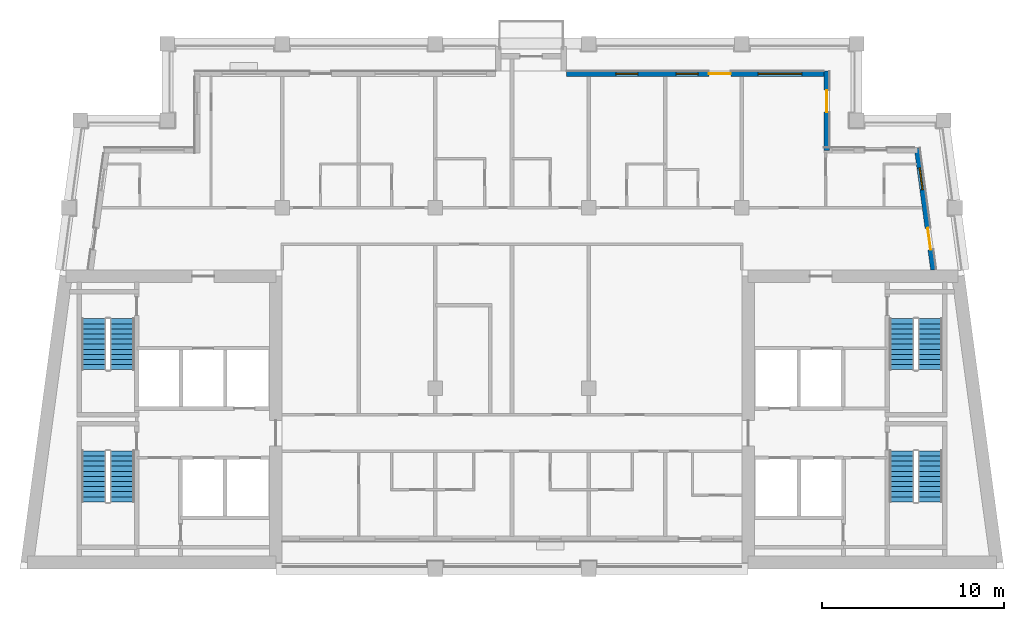
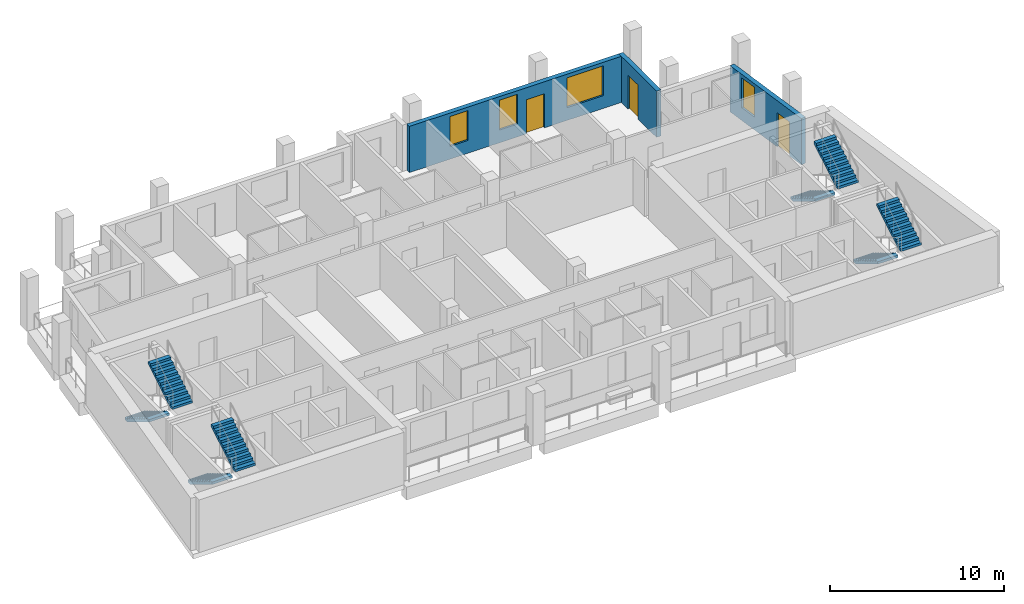
# One storey, part 6 of 10: 8 stair flights, 4 windows, 3 doors, 3 walls, 7 openings, 4 elements without a shape of their own.
"""IFC4 building model written with IfcOpenShell, lengths in metres."""

import ifcopenshell
import ifcopenshell.guid

model = None  # the IFC model being written
_history = None  # IfcOwnerHistory: only IFC2X3 demands one
_inside = {}  # id of a spatial element -> (the spatial element, [elements in it])
_under = {}  # id of a project, library or spatial element -> (it, [spatial elements below it])
_declared = {}  # id of a project -> (the project, [libraries it declares])
_typed = {}  # id of a type object -> (the type object, [elements of that type])
_made_of = {}  # id of a material, layer set ... -> (it, [elements and type objects made of it])


def new_model(schema):
    """Start an empty IFC model of exactly this schema.

    Asked for "IFC4X3", IfcOpenShell would pick the latest addendum, in which some entities
    have other attributes; the version numbers below select the first issue.
    IFC2X3 requires an IfcOwnerHistory on every rooted entity: one is made here for all.
    """
    global model, _history
    if schema == "IFC4X3":
        model = ifcopenshell.file(schema_version=(4, 3, 0, 0))
    else:
        model = ifcopenshell.file(schema=schema)
    _inside.clear()
    _under.clear()
    _declared.clear()
    _typed.clear()
    _made_of.clear()
    _history = None
    if model.schema == "IFC2X3":
        org = make("IfcOrganization", Name="unknown")
        user = make(
            "IfcPersonAndOrganization",
            ThePerson=make("IfcPerson", FamilyName="unknown"),
            TheOrganization=org,
        )
        app = make(
            "IfcApplication",
            ApplicationDeveloper=org,
            Version="unknown",
            ApplicationFullName="unknown",
            ApplicationIdentifier="unknown",
        )
        _history = make(
            "IfcOwnerHistory",
            OwningUser=user,
            OwningApplication=app,
            ChangeAction="ADDED",
            CreationDate=0,
        )
    return model


def make(cls, **values):
    """One entity of the class cls with the attributes given. An attribute that is None is left unset."""
    return model.create_entity(
        cls, **{name: value for name, value in values.items() if value is not None}
    )


def rooted(cls, **values):
    """An entity with a GlobalId (a new one), such as an element, a storey or a relation."""
    return make(cls, GlobalId=ifcopenshell.guid.new(), OwnerHistory=_history, **values)


def si_unit(unit_type, name, prefix=None):
    """IfcSIUnit, for example si_unit("LENGTHUNIT", "METRE", prefix="MILLI")."""
    return make("IfcSIUnit", UnitType=unit_type, Prefix=prefix, Name=name)


def assignment(units):
    """IfcUnitAssignment: the units of a project."""
    return None if units is None else make("IfcUnitAssignment", Units=units)


def point(xyz):
    """IfcCartesianPoint."""
    return None if xyz is None else make("IfcCartesianPoint", Coordinates=xyz)


def direction(xyz):
    """IfcDirection."""
    return None if xyz is None else make("IfcDirection", DirectionRatios=xyz)


def frame(location, z_axis=None, x_axis=None):
    """IfcAxis2Placement3D, a coordinate frame: its origin and axes. An axis left out is left unset."""
    return make(
        "IfcAxis2Placement3D",
        Location=point(location),
        Axis=direction(z_axis),
        RefDirection=direction(x_axis),
    )


def frame_2d(location, x_axis=None):
    """IfcAxis2Placement2D, a coordinate frame in the plane: its origin and x axis."""
    return make(
        "IfcAxis2Placement2D", Location=point(location), RefDirection=direction(x_axis)
    )


def origin():
    """The frame at (0, 0, 0) with its axes left unset."""
    return frame((0.0, 0.0, 0.0))


def place(relative_to, where):
    """IfcLocalPlacement: puts the frame where relative to a parent placement (None: the world)."""
    return make(
        "IfcLocalPlacement", PlacementRelTo=relative_to, RelativePlacement=where
    )


def context(
    kind, dimensions, precision=None, world=None, true_north=None, identifier=None
):
    """IfcGeometricRepresentationContext, for example the 3D "Model" context."""
    return make(
        "IfcGeometricRepresentationContext",
        ContextIdentifier=identifier,
        ContextType=kind,
        CoordinateSpaceDimension=dimensions,
        Precision=precision,
        WorldCoordinateSystem=world,
        TrueNorth=true_north,
    )


def subcontext(parent, identifier, kind, view, scale=None):
    """IfcGeometricRepresentationSubContext, for example "Body" below "Model"."""
    return make(
        "IfcGeometricRepresentationSubContext",
        ContextIdentifier=identifier,
        ContextType=kind,
        ParentContext=parent,
        TargetScale=scale,
        TargetView=view,
    )


def project(units=None, contexts=None):
    """IfcProject with its units and contexts."""
    return rooted(
        "IfcProject",
        Name="project",
        RepresentationContexts=contexts,
        UnitsInContext=assignment(units),
    )


def spatial(cls, under=None, at=None, **own):
    """A site, building, storey or space (cls), placed at a placement, below another one or the project."""
    s = rooted(cls, ObjectPlacement=at, **own)
    if under is not None:
        _under.setdefault(under.id(), (under, []))[1].append(s)
    return s


def polyline(points):
    """IfcPolyline through the points."""
    return make("IfcPolyline", Points=[point(p) for p in points])


def profile(cls, at=None, kind="AREA", **sizes):
    """A parametric profile (cls). Its sizes go by their IFC names, for example OverallWidth=200.0."""
    return make(cls, ProfileType=kind, Position=at, **sizes)


def rectangle(**sizes):
    """IfcRectangleProfileDef."""
    return profile("IfcRectangleProfileDef", **sizes)


def outline(outer, holes=None, kind="AREA"):
    """IfcArbitraryClosedProfileDef: a profile drawn as a closed curve; with holes, ...WithVoids."""
    if holes is None:
        return make("IfcArbitraryClosedProfileDef", ProfileType=kind, OuterCurve=outer)
    return make(
        "IfcArbitraryProfileDefWithVoids",
        ProfileType=kind,
        OuterCurve=outer,
        InnerCurves=holes,
    )


def extrude(swept, where, along, depth):
    """IfcExtrudedAreaSolid: the profile swept, set in the frame where, extruded along a direction by depth."""
    return make(
        "IfcExtrudedAreaSolid",
        SweptArea=swept,
        Position=where,
        ExtrudedDirection=direction(along),
        Depth=depth,
    )


def shape(context_of_items, identifier, shape_type, items):
    """IfcShapeRepresentation: the items that make up one representation, for example the "Body"."""
    return make(
        "IfcShapeRepresentation",
        ContextOfItems=context_of_items,
        RepresentationIdentifier=identifier,
        RepresentationType=shape_type,
        Items=items,
    )


def material(Name=None, Category=None):
    """IfcMaterial."""
    return make("IfcMaterial", Name=Name, Category=Category)


def layer(
    of_material, thickness, ventilated=None, Name=None, Category=None, Priority=None
):
    """IfcMaterialLayer: one layer of a wall or slab, of a material (None: an air gap)."""
    return make(
        "IfcMaterialLayer",
        Material=of_material,
        LayerThickness=thickness,
        IsVentilated=ventilated,
        Name=Name,
        Category=Category,
        Priority=Priority,
    )


def layer_set(layers, Name=None):
    """IfcMaterialLayerSet."""
    return make("IfcMaterialLayerSet", MaterialLayers=layers, LayerSetName=Name)


def made_of(thing, what):
    """Note that an element or type object is made of a material, layer set ...; save() writes the relation."""
    if what is not None:
        _made_of.setdefault(what.id(), (what, []))[1].append(thing)
    return thing


def type_object(cls, material=None, **own):
    """A type object (cls), such as IfcWallType, which elements share."""
    return made_of(rooted(cls, **own), material)


def element(
    cls,
    number,
    at=None,
    inside=None,
    cuts=None,
    type_object=None,
    material=None,
    context=None,
    identifier="Body",
    shape_type=None,
    held_by="IfcProductDefinitionShape",
    body=None,
    shapes=None,
    **own,
):
    """One element of the class cls, such as IfcWall. Its Tag is "e" and its number.

    at: its placement. inside: the storey or other place that contains it. cuts: it is an
    opening in that element (IfcRelVoidsElement). A single representation is given by context,
    identifier, shape_type and body (its items); several are given by shapes. held_by: the class
    of the entity that holds the representations. save() writes the other relations.
    """
    e = rooted(cls, Tag="e%d" % number, ObjectPlacement=at, **own)
    if body is not None:
        shapes = [shape(context, identifier, shape_type, body)]
    if shapes is not None:
        e.Representation = make(held_by, Representations=shapes)
    if inside is not None:
        _inside.setdefault(inside.id(), (inside, []))[1].append(e)
    if cuts is not None:
        rooted(
            "IfcRelVoidsElement", RelatingBuildingElement=cuts, RelatedOpeningElement=e
        )
    if type_object is not None:
        _typed.setdefault(type_object.id(), (type_object, []))[1].append(e)
    return made_of(e, material)


def fill(opening, filler):
    """IfcRelFillsElement: the door or window that sits in an opening."""
    return rooted(
        "IfcRelFillsElement",
        RelatingOpeningElement=opening,
        RelatedBuildingElement=filler,
    )


def aggregate(whole, parts):
    """IfcRelAggregates: a whole, such as a stair, and the parts it consists of."""
    return rooted("IfcRelAggregates", RelatingObject=whole, RelatedObjects=parts)


def save(model, path):
    """Write the relations noted so far, then the file.

    IfcRelAggregates (storeys below a building ...), IfcRelContainedInSpatialStructure (elements
    in a storey), IfcRelDefinesByType, IfcRelAssociatesMaterial and IfcRelDeclares: one each for
    every whole, place, type object, material and project.
    """
    for whole, parts in _under.values():
        aggregate(whole, parts)
    for where, things in _inside.values():
        rooted(
            "IfcRelContainedInSpatialStructure",
            RelatedElements=things,
            RelatingStructure=where,
        )
    for kind, things in _typed.values():
        rooted("IfcRelDefinesByType", RelatedObjects=things, RelatingType=kind)
    for what, things in _made_of.values():
        rooted("IfcRelAssociatesMaterial", RelatedObjects=things, RelatingMaterial=what)
    for by, libraries in _declared.values():
        rooted("IfcRelDeclares", RelatingContext=by, RelatedDefinitions=libraries)
    model.write(path)


model = new_model("IFC4")

# Units and contexts
model_context = context("Model", 3, precision=1e-05, world=origin(), true_north=direction((0.0, 1.0)))
body_context = subcontext(model_context, "Body", "Model", "MODEL_VIEW")
ifc_project = project(units=[si_unit("LENGTHUNIT", "METRE"), si_unit("AREAUNIT", "SQUARE_METRE"), si_unit("VOLUMEUNIT", "CUBIC_METRE"), si_unit("PLANEANGLEUNIT", "RADIAN"), si_unit("MASSUNIT", "GRAM", prefix="KILO")], contexts=[model_context])

# Site, building, storey
site_placement = place(None, origin())
site = spatial("IfcSite", under=ifc_project, at=site_placement, CompositionType="ELEMENT")
building_placement = place(site_placement, origin())
building = spatial("IfcBuilding", under=site, at=building_placement, Name="Candeia Pilgrim Tower and Theatre", CompositionType="ELEMENT")
storey_placement = place(building_placement, frame((0.0, 0.0, 299.699951171875)))
storey = spatial("IfcBuildingStorey", under=building, at=storey_placement, Name="L73", CompositionType="ELEMENT", Elevation=299.699951171875)

# Wall, openings, door, window
ifc_material_1 = material(Name="Ceramic block masonry", Category="masonry")
ifc_layer = layer(ifc_material_1, 0.300048828125)
ifc_layer_set = layer_set([ifc_layer], Name="EW1 glazing-line wall 300")
wall_type = type_object("IfcWallType", Name="EW1 glazing-line wall 300", PredefinedType="SOLIDWALL", material=ifc_layer_set)
wall_1_placement = place(storey_placement, frame((136.50439453125, 132.39990234375, 0.0), z_axis=(0.0, 0.0, 1.0), x_axis=(-0.133399697462, 0.99106231929, 0.0)))
wall_1 = element("IfcWall", 1, at=wall_1_placement, inside=storey, type_object=wall_type, Name="External wall L73-2.0", PredefinedType="SOLIDWALL", context=body_context, shape_type="SweptSolid", body=[
    extrude(rectangle(XDim=6.740478515625, YDim=0.300048828125, at=frame_2d((3.3701171875, 0.0))), origin(), (0.0, 0.0, 1.0), 3.25),
])
opening_1_placement = place(wall_1_placement, frame((1.115234375, 0.0, 0.0)))
opening_1 = element("IfcOpeningElement", 2, at=opening_1_placement, cuts=wall_1, Name="Opening L73-ED677", PredefinedType="OPENING", context=body_context, shape_type="SweptSolid", body=[
    extrude(rectangle(XDim=1.199951171875, YDim=2.39990234375, at=frame_2d((0.60009765625, 1.199951171875))), frame((0.0, 0.16015625, 0.0), z_axis=(0.0, -1.0, 0.0), x_axis=(1.0, 0.0, 0.0)), (0.0, 0.0, 1.0), 0.320068359375),
])
opening_2_placement = place(wall_1_placement, frame((4.435546875, 0.0, 0.89990234375)))
opening_2 = element("IfcOpeningElement", 3, at=opening_2_placement, cuts=wall_1, Name="Opening W-B", PredefinedType="OPENING", context=body_context, shape_type="SweptSolid", body=[
    extrude(rectangle(XDim=1.199951171875, YDim=2.10009765625, at=frame_2d((0.60009765625, 1.050048828125))), frame((0.0, 0.16015625, 0.0), z_axis=(0.0, -1.0, 0.0), x_axis=(1.0, 0.0, 0.0)), (0.0, 0.0, 1.0), 0.320068359375),
])
ifc_material_2 = material(Name="Aluminium framed glazed door", Category="aluminium")
door_type = type_object("IfcDoorType", Name="Loggia door 1200x2400", OperationType="DOUBLE_DOOR_SINGLE_SWING", PredefinedType="DOOR", material=ifc_material_2)
door_1_placement = place(opening_1_placement, origin())
door_1 = element("IfcDoor", 4, at=door_1_placement, inside=storey, type_object=door_type, Name="Loggia door L73-ED677", OperationType="DOUBLE_DOOR_SINGLE_SWING", OverallHeight=2.39990234375, OverallWidth=1.199951171875, PredefinedType="DOOR", context=body_context, shape_type="SweptSolid", body=[
    extrude(rectangle(XDim=1.199951171875, YDim=2.39990234375, at=frame_2d((0.60009765625, 1.199951171875))), frame((0.0, 0.02490234375, 0.0), z_axis=(0.0, -1.0, 0.0), x_axis=(1.0, 0.0, 0.0)), (0.0, 0.0, 1.0), 0.050048828125),
])
fill(opening_1, door_1)
ifc_material_3 = material(Name="Aluminium framed double glazing", Category="aluminium")
window_type_1 = type_object("IfcWindowType", Name="W-B window 1200x2100", PartitioningType="SINGLE_PANEL", PredefinedType="WINDOW", material=ifc_material_3)
window_1_placement = place(opening_2_placement, origin())
window_1 = element("IfcWindow", 5, at=window_1_placement, inside=storey, type_object=window_type_1, Name="Window W-B L73", OverallHeight=2.10009765625, OverallWidth=1.199951171875, PartitioningType="SINGLE_PANEL", PredefinedType="WINDOW", context=body_context, shape_type="SweptSolid", body=[
    extrude(rectangle(XDim=1.199951171875, YDim=2.10009765625, at=frame_2d((0.60009765625, 1.050048828125))), frame((0.0, 0.030029296875, 0.0), z_axis=(0.0, -1.0, 0.0), x_axis=(1.0, 0.0, 0.0)), (0.0, 0.0, 1.0), 0.06005859375),
])
fill(opening_2, window_1)

# Wall, opening, door
wall_2_placement = place(storey_placement, frame((130.64990234375, 138.949951171875, 0.0), z_axis=(0.0, 0.0, 1.0), x_axis=(0.0, 1.0, 0.0)))
wall_2 = element("IfcWall", 6, at=wall_2_placement, inside=storey, type_object=wall_type, Name="External wall L73-4.0", PredefinedType="SOLIDWALL", context=body_context, shape_type="SweptSolid", body=[
    extrude(rectangle(XDim=4.35009765625, YDim=0.300048828125, at=frame_2d((2.175048828125, 0.0))), origin(), (0.0, 0.0, 1.0), 3.25),
])
opening_3_placement = place(wall_2_placement, frame((2.10009765625, 0.0, 0.0)))
opening_3 = element("IfcOpeningElement", 7, at=opening_3_placement, cuts=wall_2, Name="Opening L73-ED679", PredefinedType="OPENING", context=body_context, shape_type="SweptSolid", body=[
    extrude(rectangle(XDim=1.199951171875, YDim=2.39990234375, at=frame_2d((0.60009765625, 1.199951171875))), frame((0.0, 0.16015625, 0.0), z_axis=(0.0, -1.0, 0.0), x_axis=(1.0, 0.0, 0.0)), (0.0, 0.0, 1.0), 0.320068359375),
])
door_2_placement = place(opening_3_placement, origin())
door_2 = element("IfcDoor", 8, at=door_2_placement, inside=storey, type_object=door_type, Name="Loggia door L73-ED679", OperationType="DOUBLE_DOOR_SINGLE_SWING", OverallHeight=2.39990234375, OverallWidth=1.199951171875, PredefinedType="DOOR", context=body_context, shape_type="SweptSolid", body=[
    extrude(rectangle(XDim=1.199951171875, YDim=2.39990234375, at=frame_2d((0.60009765625, 1.199951171875))), frame((0.0, 0.02490234375, 0.0), z_axis=(0.0, -1.0, 0.0), x_axis=(1.0, 0.0, 0.0)), (0.0, 0.0, 1.0), 0.050048828125),
])
fill(opening_3, door_2)

# Wall, openings, door, windows
wall_3_placement = place(storey_placement, frame((130.64990234375, 143.14990234375, 0.0), z_axis=(0.0, 0.0, 1.0), x_axis=(-1.0, 0.0, 0.0)))
wall_3 = element("IfcWall", 9, at=wall_3_placement, inside=storey, type_object=wall_type, Name="External wall L73-5.0", PredefinedType="SOLIDWALL", context=body_context, shape_type="SweptSolid", body=[
    extrude(rectangle(XDim=14.25, YDim=0.300048828125, at=frame_2d((7.125, 0.0))), origin(), (0.0, 0.0, 1.0), 3.25),
])
opening_4_placement = place(wall_3_placement, frame((1.35009765625, 0.0, 0.89990234375)))
opening_4 = element("IfcOpeningElement", 10, at=opening_4_placement, cuts=wall_3, Name="Opening W-A", PredefinedType="OPENING", context=body_context, shape_type="SweptSolid", body=[
    extrude(rectangle(XDim=2.39990234375, YDim=2.10009765625, at=frame_2d((1.199951171875, 1.050048828125))), frame((0.0, 0.16015625, 0.0), z_axis=(0.0, -1.0, 0.0), x_axis=(1.0, 0.0, 0.0)), (0.0, 0.0, 1.0), 0.320068359375),
])
opening_5_placement = place(wall_3_placement, frame((5.25, 0.0, 0.0)))
opening_5 = element("IfcOpeningElement", 11, at=opening_5_placement, cuts=wall_3, Name="Opening L73-ED680", PredefinedType="OPENING", context=body_context, shape_type="SweptSolid", body=[
    extrude(rectangle(XDim=1.199951171875, YDim=2.39990234375, at=frame_2d((0.60009765625, 1.199951171875))), frame((0.0, 0.16015625, 0.0), z_axis=(0.0, -1.0, 0.0), x_axis=(1.0, 0.0, 0.0)), (0.0, 0.0, 1.0), 0.320068359375),
])
opening_6_placement = place(wall_3_placement, frame((7.050048828125, 0.0, 0.89990234375)))
opening_6 = element("IfcOpeningElement", 12, at=opening_6_placement, cuts=wall_3, Name="Opening W-B", PredefinedType="OPENING", context=body_context, shape_type="SweptSolid", body=[
    extrude(rectangle(XDim=1.199951171875, YDim=2.10009765625, at=frame_2d((0.60009765625, 1.050048828125))), frame((0.0, 0.16015625, 0.0), z_axis=(0.0, -1.0, 0.0), x_axis=(1.0, 0.0, 0.0)), (0.0, 0.0, 1.0), 0.320068359375),
])
opening_7_placement = place(wall_3_placement, frame((10.35009765625, 0.0, 0.89990234375)))
opening_7 = element("IfcOpeningElement", 13, at=opening_7_placement, cuts=wall_3, Name="Opening W-B", PredefinedType="OPENING", context=body_context, shape_type="SweptSolid", body=[
    extrude(rectangle(XDim=1.199951171875, YDim=2.10009765625, at=frame_2d((0.60009765625, 1.050048828125))), frame((0.0, 0.16015625, 0.0), z_axis=(0.0, -1.0, 0.0), x_axis=(1.0, 0.0, 0.0)), (0.0, 0.0, 1.0), 0.320068359375),
])
door_3_placement = place(opening_5_placement, origin())
door_3 = element("IfcDoor", 14, at=door_3_placement, inside=storey, type_object=door_type, Name="Loggia door L73-ED680", OperationType="DOUBLE_DOOR_SINGLE_SWING", OverallHeight=2.39990234375, OverallWidth=1.199951171875, PredefinedType="DOOR", context=body_context, shape_type="SweptSolid", body=[
    extrude(rectangle(XDim=1.199951171875, YDim=2.39990234375, at=frame_2d((0.60009765625, 1.199951171875))), frame((0.0, 0.02490234375, 0.0), z_axis=(0.0, -1.0, 0.0), x_axis=(1.0, 0.0, 0.0)), (0.0, 0.0, 1.0), 0.050048828125),
])
fill(opening_5, door_3)
window_type_2 = type_object("IfcWindowType", Name="W-A window 2400x2100", PartitioningType="DOUBLE_PANEL_VERTICAL", PredefinedType="WINDOW", material=ifc_material_3)
window_2_placement = place(opening_4_placement, origin())
window_2 = element("IfcWindow", 15, at=window_2_placement, inside=storey, type_object=window_type_2, Name="Window W-A L73", OverallHeight=2.10009765625, OverallWidth=2.39990234375, PartitioningType="SINGLE_PANEL", PredefinedType="WINDOW", context=body_context, shape_type="SweptSolid", body=[
    extrude(rectangle(XDim=2.39990234375, YDim=2.10009765625, at=frame_2d((1.199951171875, 1.050048828125))), frame((0.0, 0.030029296875, 0.0), z_axis=(0.0, -1.0, 0.0), x_axis=(1.0, 0.0, 0.0)), (0.0, 0.0, 1.0), 0.06005859375),
])
fill(opening_4, window_2)
window_3_placement = place(opening_6_placement, origin())
window_3 = element("IfcWindow", 16, at=window_3_placement, inside=storey, type_object=window_type_1, Name="Window W-B L73", OverallHeight=2.10009765625, OverallWidth=1.199951171875, PartitioningType="SINGLE_PANEL", PredefinedType="WINDOW", context=body_context, shape_type="SweptSolid", body=[
    extrude(rectangle(XDim=1.199951171875, YDim=2.10009765625, at=frame_2d((0.60009765625, 1.050048828125))), frame((0.0, 0.030029296875, 0.0), z_axis=(0.0, -1.0, 0.0), x_axis=(1.0, 0.0, 0.0)), (0.0, 0.0, 1.0), 0.06005859375),
])
fill(opening_6, window_3)
window_4_placement = place(opening_7_placement, origin())
window_4 = element("IfcWindow", 17, at=window_4_placement, inside=storey, type_object=window_type_1, Name="Window W-B L73", OverallHeight=2.10009765625, OverallWidth=1.199951171875, PartitioningType="SINGLE_PANEL", PredefinedType="WINDOW", context=body_context, shape_type="SweptSolid", body=[
    extrude(rectangle(XDim=1.199951171875, YDim=2.10009765625, at=frame_2d((0.60009765625, 1.050048828125))), frame((0.0, 0.030029296875, 0.0), z_axis=(0.0, -1.0, 0.0), x_axis=(1.0, 0.0, 0.0)), (0.0, 0.0, 1.0), 0.06005859375),
])
fill(opening_7, window_4)

# Stair, stair flights
ifc_material_4 = material(Name="Concrete C40/50", Category="concrete")
stair_type = type_object("IfcStairType", Name="ST-TWR dog-leg escape stair", PredefinedType="HALF_TURN_STAIR", material=ifc_material_4)
stair_1_placement = place(storey_placement, origin())
stair_1 = element("IfcStair", 18, at=stair_1_placement, inside=storey, type_object=stair_type, Name="L73 Escape stair ST1", PredefinedType="HALF_TURN_STAIR")
stair_flight_type = type_object("IfcStairFlightType", Name="SFL-RC stair flight", PredefinedType="STRAIGHT", material=ifc_material_4)
stair_flight_1_placement = place(storey_placement, frame((90.47705078125, 122.47509765625, 0.0), z_axis=(0.0, 0.0, 1.0), x_axis=(0.0, -1.0, 0.0)))
stair_flight_1 = element("IfcStairFlight", 19, at=stair_flight_1_placement, type_object=stair_flight_type, Name="ST1 flight 1", NumberOfRisers=11, NumberOfTreads=10, PredefinedType="STRAIGHT", RiserHeight=0.168181818, TreadLength=0.28, context=body_context, shape_type="SweptSolid", body=[
    extrude(outline(polyline([(0.0, 0.0), (0.0, 0.168212890625), (0.280029296875, 0.168212890625), (0.280029296875, 0.33642578125), (0.56005859375, 0.33642578125), (0.56005859375, 0.504638671875), (0.840087890625, 0.504638671875), (0.840087890625, 0.672607421875), (1.1201171875, 0.672607421875), (1.1201171875, 0.8408203125), (1.39990234375, 0.8408203125), (1.39990234375, 1.009033203125), (1.679931640625, 1.009033203125), (1.679931640625, 1.17724609375), (1.9599609375, 1.17724609375), (1.9599609375, 1.345458984375), (2.239990234375, 1.345458984375), (2.239990234375, 1.513671875), (2.52001953125, 1.513671875), (2.52001953125, 1.681884765625), (2.800048828125, 1.681884765625), (2.800048828125, 1.85009765625), (2.800048828125, 1.5068359375), (0.291015625, 0.0), (0.0, 0.0)])), frame((0.0, 0.675048828125, 0.0), z_axis=(0.0, -1.0, 0.0), x_axis=(1.0, 0.0, 0.0)), (0.0, 0.0, 1.0), 1.35009765625),
])
stair_flight_2_placement = place(storey_placement, frame((92.027099609375, 119.675048828125, 1.85009765625), z_axis=(0.0, 0.0, 1.0), x_axis=(0.0, 1.0, 0.0)))
stair_flight_2 = element("IfcStairFlight", 20, at=stair_flight_2_placement, type_object=stair_flight_type, Name="ST1 flight 2", NumberOfRisers=11, NumberOfTreads=10, PredefinedType="STRAIGHT", RiserHeight=0.168181818, TreadLength=0.28, context=body_context, shape_type="SweptSolid", body=[
    extrude(outline(polyline([(0.0, 0.0), (0.0, 0.168212890625), (0.280029296875, 0.168212890625), (0.280029296875, 0.33642578125), (0.56005859375, 0.33642578125), (0.56005859375, 0.504638671875), (0.840087890625, 0.504638671875), (0.840087890625, 0.672607421875), (1.1201171875, 0.672607421875), (1.1201171875, 0.8408203125), (1.39990234375, 0.8408203125), (1.39990234375, 1.009033203125), (1.679931640625, 1.009033203125), (1.679931640625, 1.17724609375), (1.9599609375, 1.17724609375), (1.9599609375, 1.345458984375), (2.239990234375, 1.345458984375), (2.239990234375, 1.513671875), (2.52001953125, 1.513671875), (2.52001953125, 1.681884765625), (2.800048828125, 1.681884765625), (2.800048828125, 1.85009765625), (2.800048828125, 1.5068359375), (0.291015625, 0.0), (0.0, 0.0)])), frame((0.0, 0.675048828125, 0.0), z_axis=(0.0, -1.0, 0.0), x_axis=(1.0, 0.0, 0.0)), (0.0, 0.0, 1.0), 1.35009765625),
])
aggregate(stair_1, [stair_flight_1, stair_flight_2])

stair_2_placement = place(storey_placement, origin())
stair_2 = element("IfcStair", 21, at=stair_2_placement, inside=storey, type_object=stair_type, Name="L73 Escape stair ST2", PredefinedType="HALF_TURN_STAIR")
stair_flight_3_placement = place(storey_placement, frame((90.47705078125, 129.72509765625, 0.0), z_axis=(0.0, 0.0, 1.0), x_axis=(0.0, -1.0, 0.0)))
stair_flight_3 = element("IfcStairFlight", 22, at=stair_flight_3_placement, type_object=stair_flight_type, Name="ST2 flight 1", NumberOfRisers=11, NumberOfTreads=10, PredefinedType="STRAIGHT", RiserHeight=0.168181818, TreadLength=0.28, context=body_context, shape_type="SweptSolid", body=[
    extrude(outline(polyline([(0.0, 0.0), (0.0, 0.168212890625), (0.280029296875, 0.168212890625), (0.280029296875, 0.33642578125), (0.56005859375, 0.33642578125), (0.56005859375, 0.504638671875), (0.840087890625, 0.504638671875), (0.840087890625, 0.672607421875), (1.1201171875, 0.672607421875), (1.1201171875, 0.8408203125), (1.39990234375, 0.8408203125), (1.39990234375, 1.009033203125), (1.679931640625, 1.009033203125), (1.679931640625, 1.17724609375), (1.9599609375, 1.17724609375), (1.9599609375, 1.345458984375), (2.239990234375, 1.345458984375), (2.239990234375, 1.513671875), (2.52001953125, 1.513671875), (2.52001953125, 1.681884765625), (2.800048828125, 1.681884765625), (2.800048828125, 1.85009765625), (2.800048828125, 1.5068359375), (0.291015625, 0.0), (0.0, 0.0)])), frame((0.0, 0.675048828125, 0.0), z_axis=(0.0, -1.0, 0.0), x_axis=(1.0, 0.0, 0.0)), (0.0, 0.0, 1.0), 1.35009765625),
])
stair_flight_4_placement = place(storey_placement, frame((92.027099609375, 126.925048828125, 1.85009765625), z_axis=(0.0, 0.0, 1.0), x_axis=(0.0, 1.0, 0.0)))
stair_flight_4 = element("IfcStairFlight", 23, at=stair_flight_4_placement, type_object=stair_flight_type, Name="ST2 flight 2", NumberOfRisers=11, NumberOfTreads=10, PredefinedType="STRAIGHT", RiserHeight=0.168181818, TreadLength=0.28, context=body_context, shape_type="SweptSolid", body=[
    extrude(outline(polyline([(0.0, 0.0), (0.0, 0.168212890625), (0.280029296875, 0.168212890625), (0.280029296875, 0.33642578125), (0.56005859375, 0.33642578125), (0.56005859375, 0.504638671875), (0.840087890625, 0.504638671875), (0.840087890625, 0.672607421875), (1.1201171875, 0.672607421875), (1.1201171875, 0.8408203125), (1.39990234375, 0.8408203125), (1.39990234375, 1.009033203125), (1.679931640625, 1.009033203125), (1.679931640625, 1.17724609375), (1.9599609375, 1.17724609375), (1.9599609375, 1.345458984375), (2.239990234375, 1.345458984375), (2.239990234375, 1.513671875), (2.52001953125, 1.513671875), (2.52001953125, 1.681884765625), (2.800048828125, 1.681884765625), (2.800048828125, 1.85009765625), (2.800048828125, 1.5068359375), (0.291015625, 0.0), (0.0, 0.0)])), frame((0.0, 0.675048828125, 0.0), z_axis=(0.0, -1.0, 0.0), x_axis=(1.0, 0.0, 0.0)), (0.0, 0.0, 1.0), 1.35009765625),
])
aggregate(stair_2, [stair_flight_3, stair_flight_4])

stair_3_placement = place(storey_placement, origin())
stair_3 = element("IfcStair", 24, at=stair_3_placement, inside=storey, type_object=stair_type, Name="L73 Escape stair ST3", PredefinedType="HALF_TURN_STAIR")
stair_flight_5_placement = place(storey_placement, frame((134.77294921875, 122.47509765625, 0.0), z_axis=(0.0, 0.0, 1.0), x_axis=(0.0, -1.0, 0.0)))
stair_flight_5 = element("IfcStairFlight", 25, at=stair_flight_5_placement, type_object=stair_flight_type, Name="ST3 flight 1", NumberOfRisers=11, NumberOfTreads=10, PredefinedType="STRAIGHT", RiserHeight=0.168181818, TreadLength=0.28, context=body_context, shape_type="SweptSolid", body=[
    extrude(outline(polyline([(0.0, 0.0), (0.0, 0.168212890625), (0.280029296875, 0.168212890625), (0.280029296875, 0.33642578125), (0.56005859375, 0.33642578125), (0.56005859375, 0.504638671875), (0.840087890625, 0.504638671875), (0.840087890625, 0.672607421875), (1.1201171875, 0.672607421875), (1.1201171875, 0.8408203125), (1.39990234375, 0.8408203125), (1.39990234375, 1.009033203125), (1.679931640625, 1.009033203125), (1.679931640625, 1.17724609375), (1.9599609375, 1.17724609375), (1.9599609375, 1.345458984375), (2.239990234375, 1.345458984375), (2.239990234375, 1.513671875), (2.52001953125, 1.513671875), (2.52001953125, 1.681884765625), (2.800048828125, 1.681884765625), (2.800048828125, 1.85009765625), (2.800048828125, 1.5068359375), (0.291015625, 0.0), (0.0, 0.0)])), frame((0.0, 0.675048828125, 0.0), z_axis=(0.0, -1.0, 0.0), x_axis=(1.0, 0.0, 0.0)), (0.0, 0.0, 1.0), 1.35009765625),
])
stair_flight_6_placement = place(storey_placement, frame((136.322998046875, 119.675048828125, 1.85009765625), z_axis=(0.0, 0.0, 1.0), x_axis=(0.0, 1.0, 0.0)))
stair_flight_6 = element("IfcStairFlight", 26, at=stair_flight_6_placement, type_object=stair_flight_type, Name="ST3 flight 2", NumberOfRisers=11, NumberOfTreads=10, PredefinedType="STRAIGHT", RiserHeight=0.168181818, TreadLength=0.28, context=body_context, shape_type="SweptSolid", body=[
    extrude(outline(polyline([(0.0, 0.0), (0.0, 0.168212890625), (0.280029296875, 0.168212890625), (0.280029296875, 0.33642578125), (0.56005859375, 0.33642578125), (0.56005859375, 0.504638671875), (0.840087890625, 0.504638671875), (0.840087890625, 0.672607421875), (1.1201171875, 0.672607421875), (1.1201171875, 0.8408203125), (1.39990234375, 0.8408203125), (1.39990234375, 1.009033203125), (1.679931640625, 1.009033203125), (1.679931640625, 1.17724609375), (1.9599609375, 1.17724609375), (1.9599609375, 1.345458984375), (2.239990234375, 1.345458984375), (2.239990234375, 1.513671875), (2.52001953125, 1.513671875), (2.52001953125, 1.681884765625), (2.800048828125, 1.681884765625), (2.800048828125, 1.85009765625), (2.800048828125, 1.5068359375), (0.291015625, 0.0), (0.0, 0.0)])), frame((0.0, 0.675048828125, 0.0), z_axis=(0.0, -1.0, 0.0), x_axis=(1.0, 0.0, 0.0)), (0.0, 0.0, 1.0), 1.35009765625),
])
aggregate(stair_3, [stair_flight_5, stair_flight_6])

stair_4_placement = place(storey_placement, origin())
stair_4 = element("IfcStair", 27, at=stair_4_placement, inside=storey, type_object=stair_type, Name="L73 Escape stair ST4", PredefinedType="HALF_TURN_STAIR")
stair_flight_7_placement = place(storey_placement, frame((134.77294921875, 129.72509765625, 0.0), z_axis=(0.0, 0.0, 1.0), x_axis=(0.0, -1.0, 0.0)))
stair_flight_7 = element("IfcStairFlight", 28, at=stair_flight_7_placement, type_object=stair_flight_type, Name="ST4 flight 1", NumberOfRisers=11, NumberOfTreads=10, PredefinedType="STRAIGHT", RiserHeight=0.168181818, TreadLength=0.28, context=body_context, shape_type="SweptSolid", body=[
    extrude(outline(polyline([(0.0, 0.0), (0.0, 0.168212890625), (0.280029296875, 0.168212890625), (0.280029296875, 0.33642578125), (0.56005859375, 0.33642578125), (0.56005859375, 0.504638671875), (0.840087890625, 0.504638671875), (0.840087890625, 0.672607421875), (1.1201171875, 0.672607421875), (1.1201171875, 0.8408203125), (1.39990234375, 0.8408203125), (1.39990234375, 1.009033203125), (1.679931640625, 1.009033203125), (1.679931640625, 1.17724609375), (1.9599609375, 1.17724609375), (1.9599609375, 1.345458984375), (2.239990234375, 1.345458984375), (2.239990234375, 1.513671875), (2.52001953125, 1.513671875), (2.52001953125, 1.681884765625), (2.800048828125, 1.681884765625), (2.800048828125, 1.85009765625), (2.800048828125, 1.5068359375), (0.291015625, 0.0), (0.0, 0.0)])), frame((0.0, 0.675048828125, 0.0), z_axis=(0.0, -1.0, 0.0), x_axis=(1.0, 0.0, 0.0)), (0.0, 0.0, 1.0), 1.35009765625),
])
stair_flight_8_placement = place(storey_placement, frame((136.322998046875, 126.925048828125, 1.85009765625), z_axis=(0.0, 0.0, 1.0), x_axis=(0.0, 1.0, 0.0)))
stair_flight_8 = element("IfcStairFlight", 29, at=stair_flight_8_placement, type_object=stair_flight_type, Name="ST4 flight 2", NumberOfRisers=11, NumberOfTreads=10, PredefinedType="STRAIGHT", RiserHeight=0.168181818, TreadLength=0.28, context=body_context, shape_type="SweptSolid", body=[
    extrude(outline(polyline([(0.0, 0.0), (0.0, 0.168212890625), (0.280029296875, 0.168212890625), (0.280029296875, 0.33642578125), (0.56005859375, 0.33642578125), (0.56005859375, 0.504638671875), (0.840087890625, 0.504638671875), (0.840087890625, 0.672607421875), (1.1201171875, 0.672607421875), (1.1201171875, 0.8408203125), (1.39990234375, 0.8408203125), (1.39990234375, 1.009033203125), (1.679931640625, 1.009033203125), (1.679931640625, 1.17724609375), (1.9599609375, 1.17724609375), (1.9599609375, 1.345458984375), (2.239990234375, 1.345458984375), (2.239990234375, 1.513671875), (2.52001953125, 1.513671875), (2.52001953125, 1.681884765625), (2.800048828125, 1.681884765625), (2.800048828125, 1.85009765625), (2.800048828125, 1.5068359375), (0.291015625, 0.0), (0.0, 0.0)])), frame((0.0, 0.675048828125, 0.0), z_axis=(0.0, -1.0, 0.0), x_axis=(1.0, 0.0, 0.0)), (0.0, 0.0, 1.0), 1.35009765625),
])
aggregate(stair_4, [stair_flight_7, stair_flight_8])

save(model, "model.ifc")
